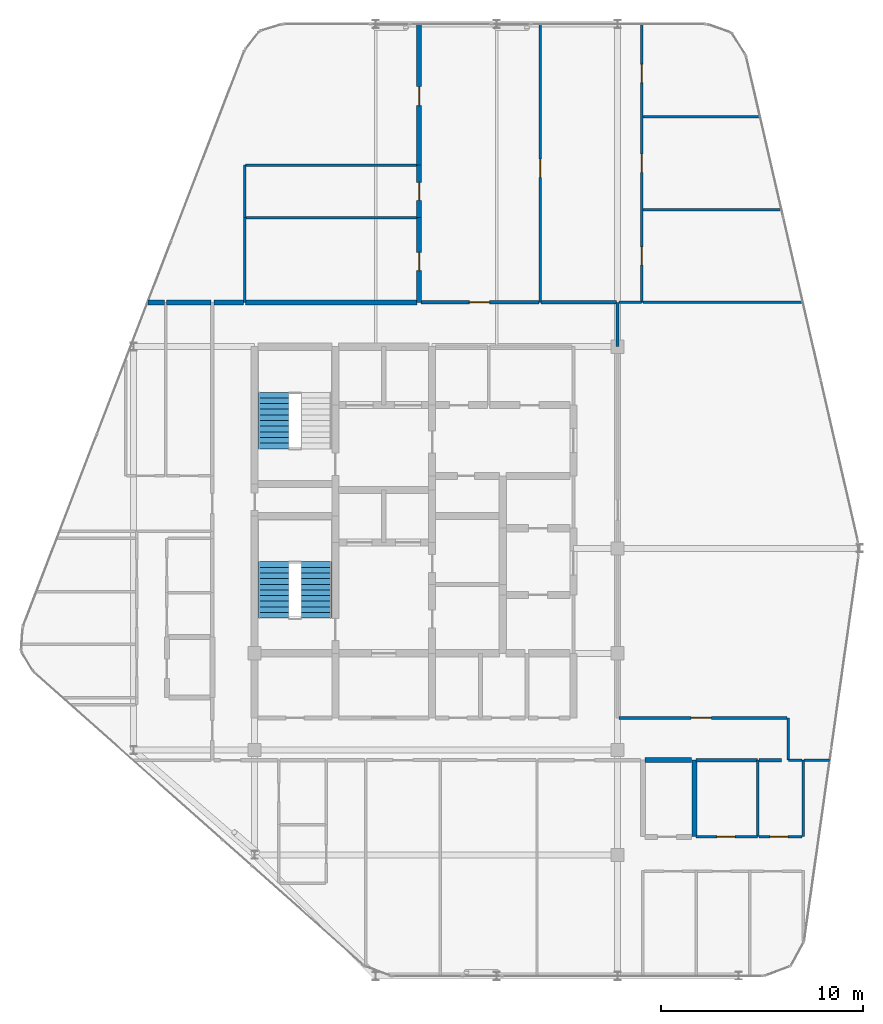
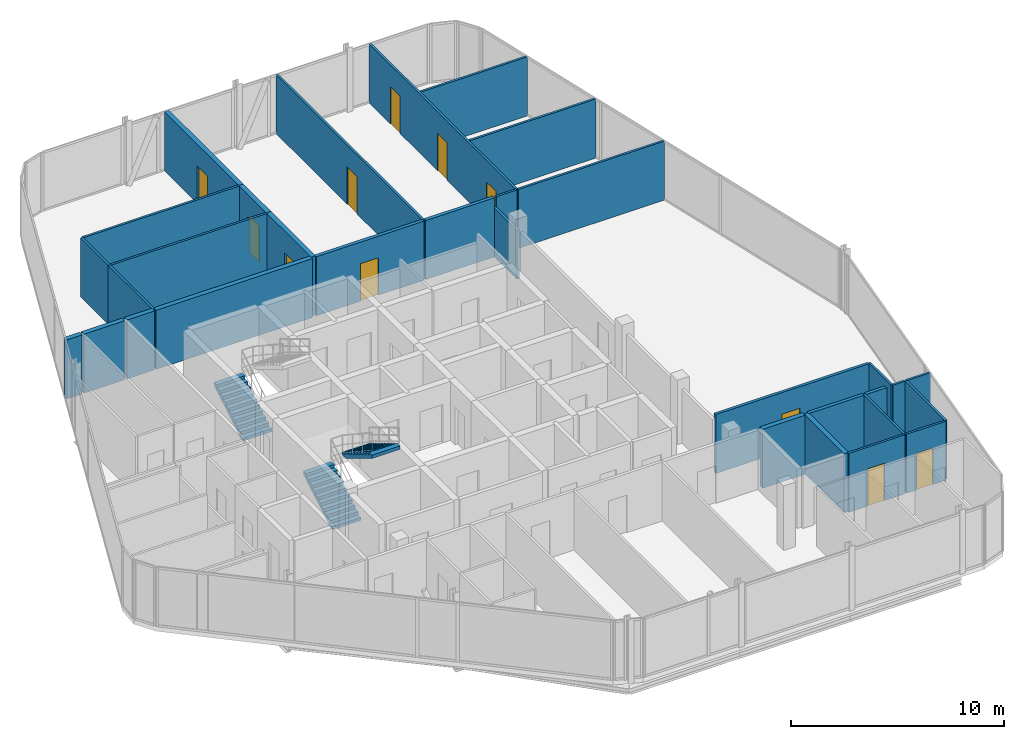
# One storey, part 25 of 27: 32 walls, 11 doors, 3 stair flights, 11 openings, 2 elements without a shape of their own.
"""IFC4 building model written with IfcOpenShell, lengths in metres."""

from ifc_helpers import new_model, si_unit, direction, frame, frame_2d, origin, place, context, subcontext, project, spatial, polyline, rectangle, outline, extrude, material, layer, layer_set, type_object, element, fill, aggregate, save


model = new_model("IFC4")

# Units and contexts
model_context = context("Model", 3, precision=1e-05, world=origin(), true_north=direction((0.0, 1.0)))
body_context = subcontext(model_context, "Body", "Model", "MODEL_VIEW")
ifc_project = project(units=[si_unit("LENGTHUNIT", "METRE"), si_unit("AREAUNIT", "SQUARE_METRE"), si_unit("VOLUMEUNIT", "CUBIC_METRE"), si_unit("PLANEANGLEUNIT", "RADIAN"), si_unit("MASSUNIT", "GRAM", prefix="KILO")], contexts=[model_context])

# Site, building, storey
site_placement = place(None, origin())
site = spatial("IfcSite", under=ifc_project, at=site_placement, CompositionType="ELEMENT")
building_placement = place(site_placement, origin())
building = spatial("IfcBuilding", under=site, at=building_placement, Name="Keshet Zoharim Tower", CompositionType="ELEMENT")
storey_placement = place(building_placement, frame((0.0, 0.0, 307.300048828125)))
storey = spatial("IfcBuildingStorey", under=building, at=storey_placement, Name="L77", CompositionType="ELEMENT", Elevation=307.300048828125)

# Wall, opening, door
ifc_material_1 = material(Name="Gypsum Plasterboard", Category="gypsum")
ifc_layer_1 = layer(ifc_material_1, 0.14990234375)
ifc_layer_set_1 = layer_set([ifc_layer_1], Name="Gypsum Plasterboard")
wall_type_1 = type_object("IfcWallType", Name="WL-CLIN-150", PredefinedType="STANDARD", material=ifc_layer_set_1)
wall_1_placement = place(storey_placement, frame((33.06005859375, 19.5, 0.0), z_axis=(0.0, 0.0, 1.0), x_axis=(1.0, 0.0, 0.0)))
wall_1 = element("IfcWall", 1, at=wall_1_placement, inside=storey, type_object=wall_type_1, Name="L77 Interior Wall 093", PredefinedType="STANDARD", context=body_context, shape_type="SweptSolid", body=[
    extrude(rectangle(XDim=8.322998046875, YDim=0.14990234375, at=frame_2d((4.16162109375, 0.0))), origin(), (0.0, 0.0, 1.0), 3.389892578125),
])
opening_1_placement = place(wall_1_placement, frame((3.5830078125, 0.0, 0.0)))
opening_1 = element("IfcOpeningElement", 2, at=opening_1_placement, cuts=wall_1, Name="Opening D-F310", PredefinedType="OPENING", context=body_context, shape_type="SweptSolid", body=[
    extrude(rectangle(XDim=1.0, YDim=2.14990234375, at=frame_2d((0.5, 1.074951171875))), frame((0.0, 0.0849609375, 0.0), z_axis=(0.0, -1.0, 0.0), x_axis=(1.0, 0.0, 0.0)), (0.0, 0.0, 1.0), 0.169921875),
])
ifc_material_2 = material(Name="Hardwood Timber", Category="wood")
door_type_1 = type_object("IfcDoorType", Name="DR-FD30-100", OperationType="NOTDEFINED", PredefinedType="DOOR", material=ifc_material_2)
door_1_placement = place(opening_1_placement, origin())
door_1 = element("IfcDoor", 3, at=door_1_placement, inside=storey, type_object=door_type_1, Name="L77 North West Residents Services Suite Door 2", OperationType="SINGLE_SWING_LEFT", OverallHeight=2.14990234375, OverallWidth=1.0, PredefinedType="DOOR", context=body_context, shape_type="SweptSolid", body=[
    extrude(rectangle(XDim=1.0, YDim=2.14990234375, at=frame_2d((0.5, 1.074951171875))), frame((0.0, 0.02490234375, 0.0), z_axis=(0.0, -1.0, 0.0), x_axis=(1.0, 0.0, 0.0)), (0.0, 0.0, 1.0), 0.050048828125),
])
fill(opening_1, door_1)

# Walls
wall_2_placement = place(storey_placement, frame((33.0, 37.89990234375, 0.0), z_axis=(0.0, 0.0, 1.0), x_axis=(0.0, 1.0, 0.0)))
element("IfcWall", 4, at=wall_2_placement, inside=storey, type_object=wall_type_1, Name="L77 Interior Wall 060 Part 3", PredefinedType="STANDARD", context=body_context, shape_type="SweptSolid", body=[
    extrude(rectangle(XDim=2.2001953125, YDim=0.14990234375, at=frame_2d((1.10009765625, 0.0))), origin(), (0.0, 0.0, 1.0), 2.7900390625),
])
ifc_layer_2 = layer(ifc_material_1, 0.179931640625)
ifc_layer_set_2 = layer_set([ifc_layer_2], Name="Gypsum Plasterboard")
wall_type_2 = type_object("IfcWallType", Name="WL-CORR-180", PredefinedType="STANDARD", material=ifc_layer_set_2)
wall_3_placement = place(storey_placement, frame((36.885009765625, 17.39990234375, 0.0), z_axis=(0.0, 0.0, 1.0), x_axis=(1.0, 0.0, 0.0)))
element("IfcWall", 5, at=wall_3_placement, inside=storey, type_object=wall_type_2, Name="L77 Interior Wall 085", PredefinedType="STANDARD", context=body_context, shape_type="SweptSolid", body=[
    extrude(rectangle(XDim=3.0380859375, YDim=0.179931640625, at=frame_2d((1.51904296875, 0.0))), origin(), (0.0, 0.0, 1.0), 3.389892578125),
])
wall_4_placement = place(storey_placement, frame((40.012939453125, 17.39990234375, 0.0), z_axis=(0.0, 0.0, 1.0), x_axis=(1.0, 0.0, 0.0)))
element("IfcWall", 6, at=wall_4_placement, inside=storey, type_object=wall_type_2, Name="L77 Interior Wall 086", PredefinedType="STANDARD", context=body_context, shape_type="SweptSolid", body=[
    extrude(rectangle(XDim=1.116943359375, YDim=0.179931640625, at=frame_2d((0.55859375, 0.0))), origin(), (0.0, 0.0, 1.0), 3.389892578125),
])

# Wall, opening, door
wall_5_placement = place(storey_placement, frame((23.260009765625, 40.10009765625, 0.0), z_axis=(0.0, 0.0, 1.0), x_axis=(1.0, 0.0, 0.0)))
wall_5 = element("IfcWall", 7, at=wall_5_placement, inside=storey, type_object=wall_type_2, Name="L77 Interior Wall 133", PredefinedType="STANDARD", context=body_context, shape_type="SweptSolid", body=[
    extrude(rectangle(XDim=5.844970703125, YDim=0.179931640625, at=frame_2d((2.92236328125, 0.0))), origin(), (0.0, 0.0, 1.0), 3.389892578125),
])
opening_2_placement = place(wall_5_placement, frame((2.389892578125, 0.0, 0.0)))
opening_2 = element("IfcOpeningElement", 8, at=opening_2_placement, cuts=wall_5, Name="Opening D-F310", PredefinedType="OPENING", context=body_context, shape_type="SweptSolid", body=[
    extrude(rectangle(XDim=1.0, YDim=2.14990234375, at=frame_2d((0.5, 1.074951171875))), frame((0.0, 0.10009765625, 0.0), z_axis=(0.0, -1.0, 0.0), x_axis=(1.0, 0.0, 0.0)), (0.0, 0.0, 1.0), 0.199951171875),
])
door_2_placement = place(opening_2_placement, origin())
door_2 = element("IfcDoor", 9, at=door_2_placement, inside=storey, type_object=door_type_1, Name="Apartment 7703 Entrance Door", OperationType="SINGLE_SWING_RIGHT", OverallHeight=2.14990234375, OverallWidth=1.0, PredefinedType="DOOR", context=body_context, shape_type="SweptSolid", body=[
    extrude(rectangle(XDim=1.0, YDim=2.14990234375, at=frame_2d((0.5, 1.074951171875))), frame((0.0, 0.02490234375, 0.0), z_axis=(0.0, -1.0, 0.0), x_axis=(1.0, 0.0, 0.0)), (0.0, 0.0, 1.0), 0.050048828125),
])
fill(opening_2, door_2)

# Wall
wall_6_placement = place(storey_placement, frame((29.195068359375, 40.10009765625, 0.0), z_axis=(0.0, 0.0, 1.0), x_axis=(1.0, 0.0, 0.0)))
element("IfcWall", 10, at=wall_6_placement, inside=storey, type_object=wall_type_2, Name="L77 Interior Wall 134", PredefinedType="STANDARD", context=body_context, shape_type="SweptSolid", body=[
    extrude(rectangle(XDim=3.744873046875, YDim=0.179931640625, at=frame_2d((1.87255859375, 0.0))), origin(), (0.0, 0.0, 1.0), 3.389892578125),
])

# Wall, opening, door
ifc_material_3 = material(Name="Concrete C50/60", Category="concrete")
ifc_layer_3 = layer(ifc_material_3, 0.25)
ifc_layer_set_3 = layer_set([ifc_layer_3], Name="Concrete C50/60")
wall_type_3 = type_object("IfcWallType", Name="WL-MAMAD-250", PredefinedType="STANDARD", material=ifc_layer_set_3)
wall_7_placement = place(storey_placement, frame((23.14990234375, 40.10009765625, 0.0), z_axis=(0.0, 0.0, 1.0), x_axis=(0.0, 1.0, 0.0)))
wall_7 = element("IfcWall", 11, at=wall_7_placement, inside=storey, type_object=wall_type_3, Name="L77 Interior Wall 034", PredefinedType="STANDARD", context=body_context, shape_type="SweptSolid", body=[
    extrude(rectangle(XDim=4.199951171875, YDim=0.25, at=frame_2d((2.10009765625, 0.0))), origin(), (0.0, 0.0, 1.0), 3.389892578125),
])
opening_3_placement = place(wall_7_placement, frame((1.576904296875, 0.0, 0.0)))
opening_3 = element("IfcOpeningElement", 12, at=opening_3_placement, cuts=wall_7, Name="Opening D-IN90", PredefinedType="OPENING", context=body_context, shape_type="SweptSolid", body=[
    extrude(rectangle(XDim=0.89990234375, YDim=2.14990234375, at=frame_2d((0.449951171875, 1.074951171875))), frame((0.0, 0.135009765625, 0.0), z_axis=(0.0, -1.0, 0.0), x_axis=(1.0, 0.0, 0.0)), (0.0, 0.0, 1.0), 0.27001953125),
])
door_type_2 = type_object("IfcDoorType", Name="DR-INT-090", OperationType="NOTDEFINED", PredefinedType="DOOR", material=ifc_material_2)
door_3_placement = place(opening_3_placement, origin())
door_3 = element("IfcDoor", 13, at=door_3_placement, inside=storey, type_object=door_type_2, Name="Apartment 7703 Kitchen Door", OperationType="SINGLE_SWING_LEFT", OverallHeight=2.14990234375, OverallWidth=0.89990234375, PredefinedType="DOOR", context=body_context, shape_type="SweptSolid", body=[
    extrude(rectangle(XDim=0.89990234375, YDim=2.14990234375, at=frame_2d((0.449951171875, 1.074951171875))), frame((0.0, 0.02490234375, 0.0), z_axis=(0.0, -1.0, 0.0), x_axis=(1.0, 0.0, 0.0)), (0.0, 0.0, 1.0), 0.050048828125),
])
fill(opening_3, door_3)

wall_8_placement = place(storey_placement, frame((23.14990234375, 44.300048828125, 0.0), z_axis=(0.0, 0.0, 1.0), x_axis=(0.0, 1.0, 0.0)))
wall_8 = element("IfcWall", 14, at=wall_8_placement, inside=storey, type_object=wall_type_3, Name="L77 Interior Wall 035", PredefinedType="STANDARD", context=body_context, shape_type="SweptSolid", body=[
    extrude(rectangle(XDim=2.599853515625, YDim=0.25, at=frame_2d((1.2998046875, 0.0))), origin(), (0.0, 0.0, 1.0), 3.389892578125),
])
opening_4_placement = place(wall_8_placement, frame((0.85009765625, 0.0, 0.0)))
opening_4 = element("IfcOpeningElement", 15, at=opening_4_placement, cuts=wall_8, Name="Opening D-WT90", PredefinedType="OPENING", context=body_context, shape_type="SweptSolid", body=[
    extrude(rectangle(XDim=0.89990234375, YDim=2.10009765625, at=frame_2d((0.449951171875, 1.050048828125))), frame((0.0, 0.135009765625, 0.0), z_axis=(0.0, -1.0, 0.0), x_axis=(1.0, 0.0, 0.0)), (0.0, 0.0, 1.0), 0.27001953125),
])
door_type_3 = type_object("IfcDoorType", Name="DR-WET-090", OperationType="NOTDEFINED", PredefinedType="DOOR", material=ifc_material_2)
door_4_placement = place(opening_4_placement, origin())
door_4 = element("IfcDoor", 16, at=door_4_placement, inside=storey, type_object=door_type_3, Name="Apartment 7703 Bathroom Door", OperationType="SINGLE_SWING_RIGHT", OverallHeight=2.10009765625, OverallWidth=0.89990234375, PredefinedType="DOOR", context=body_context, shape_type="SweptSolid", body=[
    extrude(rectangle(XDim=0.89990234375, YDim=2.10009765625, at=frame_2d((0.449951171875, 1.050048828125))), frame((0.0, 0.02490234375, 0.0), z_axis=(0.0, -1.0, 0.0), x_axis=(1.0, 0.0, 0.0)), (0.0, 0.0, 1.0), 0.050048828125),
])
fill(opening_4, door_4)

wall_9_placement = place(storey_placement, frame((23.14990234375, 46.89990234375, 0.0), z_axis=(0.0, 0.0, 1.0), x_axis=(0.0, 1.0, 0.0)))
wall_9 = element("IfcWall", 17, at=wall_9_placement, inside=storey, type_object=wall_type_3, Name="L77 Interior Wall 036", PredefinedType="STANDARD", context=body_context, shape_type="SweptSolid", body=[
    extrude(rectangle(XDim=6.989990234375, YDim=0.25, at=frame_2d((3.4951171875, 0.0))), origin(), (0.0, 0.0, 1.0), 3.389892578125),
])
opening_5_placement = place(wall_9_placement, frame((2.948974609375, 0.0, 0.0)))
opening_5 = element("IfcOpeningElement", 18, at=opening_5_placement, cuts=wall_9, Name="Opening D-F695", PredefinedType="OPENING", context=body_context, shape_type="SweptSolid", body=[
    extrude(rectangle(XDim=0.949951171875, YDim=2.14990234375, at=frame_2d((0.47509765625, 1.074951171875))), frame((0.0, 0.135009765625, 0.0), z_axis=(0.0, -1.0, 0.0), x_axis=(1.0, 0.0, 0.0)), (0.0, 0.0, 1.0), 0.27001953125),
])
door_type_4 = type_object("IfcDoorType", Name="DR-FD60-095", OperationType="NOTDEFINED", PredefinedType="DOOR", material=ifc_material_2)
door_5_placement = place(opening_5_placement, origin())
door_5 = element("IfcDoor", 19, at=door_5_placement, inside=storey, type_object=door_type_4, Name="Apartment 7703 Study and Shelter Room Door", OperationType="SINGLE_SWING_LEFT", OverallHeight=2.14990234375, OverallWidth=0.949951171875, PredefinedType="DOOR", context=body_context, shape_type="SweptSolid", body=[
    extrude(rectangle(XDim=0.949951171875, YDim=2.14990234375, at=frame_2d((0.47509765625, 1.074951171875))), frame((0.0, 0.02490234375, 0.0), z_axis=(0.0, -1.0, 0.0), x_axis=(1.0, 0.0, 0.0)), (0.0, 0.0, 1.0), 0.050048828125),
])
fill(opening_5, door_5)

# Walls
wall_10_placement = place(storey_placement, frame((36.800048828125, 13.6201171875, 0.0), z_axis=(0.0, 0.0, 1.0), x_axis=(0.0, 1.0, 0.0)))
element("IfcWall", 20, at=wall_10_placement, inside=storey, type_object=wall_type_3, Name="L77 Interior Wall 064", PredefinedType="STANDARD", context=body_context, shape_type="SweptSolid", body=[
    extrude(rectangle(XDim=3.77978515625, YDim=0.25, at=frame_2d((1.889892578125, 0.0))), origin(), (0.0, 0.0, 1.0), 3.389892578125),
])
wall_11_placement = place(storey_placement, frame((34.360107421875, 17.39990234375, 0.0), z_axis=(0.0, 0.0, 1.0), x_axis=(1.0, 0.0, 0.0)))
element("IfcWall", 21, at=wall_11_placement, inside=storey, type_object=wall_type_3, Name="L77 Interior Wall 084", PredefinedType="STANDARD", context=body_context, shape_type="SweptSolid", body=[
    extrude(rectangle(XDim=2.304931640625, YDim=0.25, at=frame_2d((1.15234375, 0.0))), origin(), (0.0, 0.0, 1.0), 3.389892578125),
])
wall_12_placement = place(storey_placement, frame((9.701904296875, 40.10009765625, 0.0), z_axis=(0.0, 0.0, 1.0), x_axis=(1.0, 0.0, 0.0)))
element("IfcWall", 22, at=wall_12_placement, inside=storey, type_object=wall_type_3, Name="L77 Interior Wall 129", PredefinedType="STANDARD", context=body_context, shape_type="SweptSolid", body=[
    extrude(rectangle(XDim=0.8310546875, YDim=0.25, at=frame_2d((0.41552734375, 0.0))), origin(), (0.0, 0.0, 1.0), 3.389892578125),
])
wall_13_placement = place(storey_placement, frame((10.623046875, 40.10009765625, 0.0), z_axis=(0.0, 0.0, 1.0), x_axis=(1.0, 0.0, 0.0)))
element("IfcWall", 23, at=wall_13_placement, inside=storey, type_object=wall_type_3, Name="L77 Interior Wall 130", PredefinedType="STANDARD", context=body_context, shape_type="SweptSolid", body=[
    extrude(rectangle(XDim=2.201904296875, YDim=0.25, at=frame_2d((1.10107421875, 0.0))), origin(), (0.0, 0.0, 1.0), 3.389892578125),
])
wall_14_placement = place(storey_placement, frame((12.97509765625, 40.10009765625, 0.0), z_axis=(0.0, 0.0, 1.0), x_axis=(1.0, 0.0, 0.0)))
element("IfcWall", 24, at=wall_14_placement, inside=storey, type_object=wall_type_3, Name="L77 Interior Wall 131", PredefinedType="STANDARD", context=body_context, shape_type="SweptSolid", body=[
    extrude(rectangle(XDim=1.47998046875, YDim=0.25, at=frame_2d((0.739990234375, 0.0))), origin(), (0.0, 0.0, 1.0), 3.389892578125),
])
wall_15_placement = place(storey_placement, frame((14.544921875, 40.10009765625, 0.0), z_axis=(0.0, 0.0, 1.0), x_axis=(1.0, 0.0, 0.0)))
element("IfcWall", 25, at=wall_15_placement, inside=storey, type_object=wall_type_3, Name="L77 Interior Wall 132", PredefinedType="STANDARD", context=body_context, shape_type="SweptSolid", body=[
    extrude(rectangle(XDim=8.4951171875, YDim=0.25, at=frame_2d((4.24755859375, 0.0))), origin(), (0.0, 0.0, 1.0), 3.389892578125),
])
ifc_layer_4 = layer(ifc_material_1, 0.1201171875)
ifc_layer_set_4 = layer_set([ifc_layer_4], Name="Gypsum Plasterboard")
wall_type_4 = type_object("IfcWallType", Name="WL-PART-120", PredefinedType="PARTITIONING", material=ifc_layer_set_4)
wall_16_placement = place(storey_placement, frame((14.5, 40.10009765625, 0.0), z_axis=(0.0, 0.0, 1.0), x_axis=(0.0, 1.0, 0.0)))
element("IfcWall", 26, at=wall_16_placement, inside=storey, type_object=wall_type_4, Name="L77 Interior Wall 016", PredefinedType="PARTITIONING", context=body_context, shape_type="SweptSolid", body=[
    extrude(rectangle(XDim=4.199951171875, YDim=0.1201171875, at=frame_2d((2.10009765625, 0.0))), origin(), (0.0, 0.0, 1.0), 3.389892578125),
])

# Wall, opening, door
wall_17_placement = place(storey_placement, frame((29.14990234375, 40.10009765625, 0.0), z_axis=(0.0, 0.0, 1.0), x_axis=(0.0, 1.0, 0.0)))
wall_17 = element("IfcWall", 27, at=wall_17_placement, inside=storey, type_object=wall_type_4, Name="L77 Interior Wall 053", PredefinedType="PARTITIONING", context=body_context, shape_type="SweptSolid", body=[
    extrude(rectangle(XDim=13.789794921875, YDim=0.1201171875, at=frame_2d((6.89501953125, 0.0))), origin(), (0.0, 0.0, 1.0), 3.389892578125),
])
opening_6_placement = place(wall_17_placement, frame((6.199951171875, 0.0, 0.0)))
opening_6 = element("IfcOpeningElement", 28, at=opening_6_placement, cuts=wall_17, Name="Opening D-IN90", PredefinedType="OPENING", context=body_context, shape_type="SweptSolid", body=[
    extrude(rectangle(XDim=0.89990234375, YDim=2.14990234375, at=frame_2d((0.449951171875, 1.074951171875))), frame((0.0, 0.070068359375, 0.0), z_axis=(0.0, -1.0, 0.0), x_axis=(1.0, 0.0, 0.0)), (0.0, 0.0, 1.0), 0.14013671875),
])
door_6_placement = place(opening_6_placement, origin())
door_6 = element("IfcDoor", 29, at=door_6_placement, inside=storey, type_object=door_type_2, Name="Apartment 7703 Formal Dining Room Door", OperationType="SINGLE_SWING_LEFT", OverallHeight=2.14990234375, OverallWidth=0.89990234375, PredefinedType="DOOR", context=body_context, shape_type="SweptSolid", body=[
    extrude(rectangle(XDim=0.89990234375, YDim=2.14990234375, at=frame_2d((0.449951171875, 1.074951171875))), frame((0.0, 0.02490234375, 0.0), z_axis=(0.0, -1.0, 0.0), x_axis=(1.0, 0.0, 0.0)), (0.0, 0.0, 1.0), 0.050048828125),
])
fill(opening_6, door_6)

# Wall, openings, doors
wall_18_placement = place(storey_placement, frame((34.199951171875, 40.10009765625, 0.0), z_axis=(0.0, 0.0, 1.0), x_axis=(0.0, 1.0, 0.0)))
wall_18 = element("IfcWall", 30, at=wall_18_placement, inside=storey, type_object=wall_type_4, Name="L77 Interior Wall 061", PredefinedType="PARTITIONING", context=body_context, shape_type="SweptSolid", body=[
    extrude(rectangle(XDim=13.789794921875, YDim=0.1201171875, at=frame_2d((6.89501953125, 0.0))), origin(), (0.0, 0.0, 1.0), 3.389892578125),
])
opening_7_placement = place(wall_18_placement, frame((1.85205078125, 0.0, 0.0)))
opening_7 = element("IfcOpeningElement", 31, at=opening_7_placement, cuts=wall_18, Name="Opening D-IN90", PredefinedType="OPENING", context=body_context, shape_type="SweptSolid", body=[
    extrude(rectangle(XDim=0.89990234375, YDim=2.14990234375, at=frame_2d((0.449951171875, 1.074951171875))), frame((0.0, 0.070068359375, 0.0), z_axis=(0.0, -1.0, 0.0), x_axis=(1.0, 0.0, 0.0)), (0.0, 0.0, 1.0), 0.14013671875),
])
opening_8_placement = place(wall_18_placement, frame((6.449951171875, 0.0, 0.0)))
opening_8 = element("IfcOpeningElement", 32, at=opening_8_placement, cuts=wall_18, Name="Opening D-IN90", PredefinedType="OPENING", context=body_context, shape_type="SweptSolid", body=[
    extrude(rectangle(XDim=0.89990234375, YDim=2.14990234375, at=frame_2d((0.449951171875, 1.074951171875))), frame((0.0, 0.070068359375, 0.0), z_axis=(0.0, -1.0, 0.0), x_axis=(1.0, 0.0, 0.0)), (0.0, 0.0, 1.0), 0.14013671875),
])
opening_9_placement = place(wall_18_placement, frame((10.89794921875, 0.0, 0.0)))
opening_9 = element("IfcOpeningElement", 33, at=opening_9_placement, cuts=wall_18, Name="Opening D-IN90", PredefinedType="OPENING", context=body_context, shape_type="SweptSolid", body=[
    extrude(rectangle(XDim=0.89990234375, YDim=2.14990234375, at=frame_2d((0.449951171875, 1.074951171875))), frame((0.0, 0.070068359375, 0.0), z_axis=(0.0, -1.0, 0.0), x_axis=(1.0, 0.0, 0.0)), (0.0, 0.0, 1.0), 0.14013671875),
])
door_7_placement = place(opening_7_placement, origin())
door_7 = element("IfcDoor", 34, at=door_7_placement, inside=storey, type_object=door_type_2, Name="Apartment 7703 Bedroom 1 Door", OperationType="SINGLE_SWING_LEFT", OverallHeight=2.14990234375, OverallWidth=0.89990234375, PredefinedType="DOOR", context=body_context, shape_type="SweptSolid", body=[
    extrude(rectangle(XDim=0.89990234375, YDim=2.14990234375, at=frame_2d((0.449951171875, 1.074951171875))), frame((0.0, 0.02490234375, 0.0), z_axis=(0.0, -1.0, 0.0), x_axis=(1.0, 0.0, 0.0)), (0.0, 0.0, 1.0), 0.050048828125),
])
fill(opening_7, door_7)
door_8_placement = place(opening_8_placement, origin())
door_8 = element("IfcDoor", 35, at=door_8_placement, inside=storey, type_object=door_type_2, Name="Apartment 7703 Bedroom 2 Door", OperationType="SINGLE_SWING_RIGHT", OverallHeight=2.14990234375, OverallWidth=0.89990234375, PredefinedType="DOOR", context=body_context, shape_type="SweptSolid", body=[
    extrude(rectangle(XDim=0.89990234375, YDim=2.14990234375, at=frame_2d((0.449951171875, 1.074951171875))), frame((0.0, 0.02490234375, 0.0), z_axis=(0.0, -1.0, 0.0), x_axis=(1.0, 0.0, 0.0)), (0.0, 0.0, 1.0), 0.050048828125),
])
fill(opening_8, door_8)
door_9_placement = place(opening_9_placement, origin())
door_9 = element("IfcDoor", 36, at=door_9_placement, inside=storey, type_object=door_type_2, Name="Apartment 7703 Bedroom 3 Door", OperationType="SINGLE_SWING_LEFT", OverallHeight=2.14990234375, OverallWidth=0.89990234375, PredefinedType="DOOR", context=body_context, shape_type="SweptSolid", body=[
    extrude(rectangle(XDim=0.89990234375, YDim=2.14990234375, at=frame_2d((0.449951171875, 1.074951171875))), frame((0.0, 0.02490234375, 0.0), z_axis=(0.0, -1.0, 0.0), x_axis=(1.0, 0.0, 0.0)), (0.0, 0.0, 1.0), 0.050048828125),
])
fill(opening_9, door_9)

# Wall
wall_19_placement = place(storey_placement, frame((41.449951171875, 17.39990234375, 0.0), z_axis=(0.0, 0.0, 1.0), x_axis=(0.0, 1.0, 0.0)))
element("IfcWall", 37, at=wall_19_placement, inside=storey, type_object=wall_type_4, Name="L77 Interior Wall 068", PredefinedType="PARTITIONING", context=body_context, shape_type="SweptSolid", body=[
    extrude(rectangle(XDim=2.09912109375, YDim=0.1201171875, at=frame_2d((1.049560546875, 0.0))), origin(), (0.0, 0.0, 1.0), 3.389892578125),
])

# Wall, opening, door
wall_20_placement = place(storey_placement, frame((36.885009765625, 13.60009765625, 0.0), z_axis=(0.0, 0.0, 1.0), x_axis=(1.0, 0.0, 0.0)))
wall_20 = element("IfcWall", 38, at=wall_20_placement, inside=storey, type_object=wall_type_4, Name="L77 Interior Wall 074", PredefinedType="PARTITIONING", context=body_context, shape_type="SweptSolid", body=[
    extrude(rectangle(XDim=3.0380859375, YDim=0.1201171875, at=frame_2d((1.51904296875, 0.0))), origin(), (0.0, 0.0, 1.0), 3.389892578125),
])
opening_10_placement = place(wall_20_placement, frame((1.037109375, 0.0, 0.0)))
opening_10 = element("IfcOpeningElement", 39, at=opening_10_placement, cuts=wall_20, Name="Opening D-IN90", PredefinedType="OPENING", context=body_context, shape_type="SweptSolid", body=[
    extrude(rectangle(XDim=0.89990234375, YDim=2.14990234375, at=frame_2d((0.449951171875, 1.074951171875))), frame((0.0, 0.070068359375, 0.0), z_axis=(0.0, -1.0, 0.0), x_axis=(1.0, 0.0, 0.0)), (0.0, 0.0, 1.0), 0.14013671875),
])
door_10_placement = place(opening_10_placement, origin())
door_10 = element("IfcDoor", 40, at=door_10_placement, inside=storey, type_object=door_type_2, Name="Apartment 7702 Kitchen Door", OperationType="SINGLE_SWING_RIGHT", OverallHeight=2.14990234375, OverallWidth=0.89990234375, PredefinedType="DOOR", context=body_context, shape_type="SweptSolid", body=[
    extrude(rectangle(XDim=0.89990234375, YDim=2.14990234375, at=frame_2d((0.449951171875, 1.074951171875))), frame((0.0, 0.02490234375, 0.0), z_axis=(0.0, -1.0, 0.0), x_axis=(1.0, 0.0, 0.0)), (0.0, 0.0, 1.0), 0.050048828125),
])
fill(opening_10, door_10)

# Walls
wall_21_placement = place(storey_placement, frame((42.236083984375, 17.39990234375, 0.0), z_axis=(0.0, 0.0, 1.0), x_axis=(1.0, 0.0, 0.0)))
element("IfcWall", 41, at=wall_21_placement, inside=storey, type_object=wall_type_4, Name="L77 Interior Wall 088", PredefinedType="PARTITIONING", context=body_context, shape_type="SweptSolid", body=[
    extrude(rectangle(XDim=1.267822265625, YDim=0.1201171875, at=frame_2d((0.6337890625, 0.0))), origin(), (0.0, 0.0, 1.0), 3.389892578125),
])
wall_22_placement = place(storey_placement, frame((33.06005859375, 40.10009765625, 0.0), z_axis=(0.0, 0.0, 1.0), x_axis=(1.0, 0.0, 0.0)))
element("IfcWall", 42, at=wall_22_placement, inside=storey, type_object=wall_type_4, Name="L77 Interior Wall 135", PredefinedType="PARTITIONING", context=body_context, shape_type="SweptSolid", body=[
    extrude(rectangle(XDim=1.114990234375, YDim=0.1201171875, at=frame_2d((0.5576171875, 0.0))), origin(), (0.0, 0.0, 1.0), 3.389892578125),
])
wall_23_placement = place(storey_placement, frame((34.264892578125, 40.10009765625, 0.0), z_axis=(0.0, 0.0, 1.0), x_axis=(1.0, 0.0, 0.0)))
element("IfcWall", 43, at=wall_23_placement, inside=storey, type_object=wall_type_4, Name="L77 Interior Wall 136", PredefinedType="PARTITIONING", context=body_context, shape_type="SweptSolid", body=[
    extrude(rectangle(XDim=7.91015625, YDim=0.1201171875, at=frame_2d((3.955078125, 0.0))), origin(), (0.0, 0.0, 1.0), 3.389892578125),
])
wall_24_placement = place(storey_placement, frame((34.264892578125, 44.699951171875, 0.0), z_axis=(0.0, 0.0, 1.0), x_axis=(1.0, 0.0, 0.0)))
element("IfcWall", 44, at=wall_24_placement, inside=storey, type_object=wall_type_4, Name="L77 Interior Wall 138", PredefinedType="PARTITIONING", context=body_context, shape_type="SweptSolid", body=[
    extrude(rectangle(XDim=6.84814453125, YDim=0.1201171875, at=frame_2d((3.424072265625, 0.0))), origin(), (0.0, 0.0, 1.0), 3.389892578125),
])
wall_25_placement = place(storey_placement, frame((34.264892578125, 49.300048828125, 0.0), z_axis=(0.0, 0.0, 1.0), x_axis=(1.0, 0.0, 0.0)))
element("IfcWall", 45, at=wall_25_placement, inside=storey, type_object=wall_type_4, Name="L77 Interior Wall 140", PredefinedType="PARTITIONING", context=body_context, shape_type="SweptSolid", body=[
    extrude(rectangle(XDim=5.787109375, YDim=0.1201171875, at=frame_2d((2.8935546875, 0.0))), origin(), (0.0, 0.0, 1.0), 3.389892578125),
])
ifc_layer_5 = layer(ifc_material_1, 0.1201171875)
ifc_layer_set_5 = layer_set([ifc_layer_5], Name="Gypsum Plasterboard")
wall_type_5 = type_object("IfcWallType", Name="WL-WET-120", PredefinedType="PARTITIONING", material=ifc_layer_set_5)
wall_26_placement = place(storey_placement, frame((14.5, 44.300048828125, 0.0), z_axis=(0.0, 0.0, 1.0), x_axis=(0.0, 1.0, 0.0)))
element("IfcWall", 46, at=wall_26_placement, inside=storey, type_object=wall_type_5, Name="L77 Interior Wall 017", PredefinedType="PARTITIONING", context=body_context, shape_type="SweptSolid", body=[
    extrude(rectangle(XDim=2.599853515625, YDim=0.1201171875, at=frame_2d((1.2998046875, 0.0))), origin(), (0.0, 0.0, 1.0), 3.389892578125),
])
for number, where, z_axis, x_axis, name in (
    (47, (39.949951171875, 13.6201171875, 0.0), (0.0, 0.0, 1.0), (0.0, 1.0, 0.0), "L77 Interior Wall 067"),
    (48, (42.199951171875, 13.6201171875, 0.0), (0.0, 0.0, 1.0), (0.0, 1.0, 0.0), "L77 Interior Wall 070"),
):
    element("IfcWall", number, at=place(storey_placement, frame(where, z_axis=z_axis, x_axis=x_axis)), inside=storey, type_object=wall_type_5, Name=name, PredefinedType="PARTITIONING", context=body_context, shape_type="SweptSolid", body=[
        extrude(rectangle(XDim=3.77978515625, YDim=0.1201171875, at=frame_2d((1.889892578125, 0.0))), origin(), (0.0, 0.0, 1.0), 3.389892578125),
    ])

# Wall, opening, door
wall_27_placement = place(storey_placement, frame((40.012939453125, 13.60009765625, 0.0), z_axis=(0.0, 0.0, 1.0), x_axis=(1.0, 0.0, 0.0)))
wall_27 = element("IfcWall", 49, at=wall_27_placement, inside=storey, type_object=wall_type_5, Name="L77 Interior Wall 075", PredefinedType="PARTITIONING", context=body_context, shape_type="SweptSolid", body=[
    extrude(rectangle(XDim=2.133056640625, YDim=0.1201171875, at=frame_2d((1.06640625, 0.0))), origin(), (0.0, 0.0, 1.0), 3.389892578125),
])
opening_11_placement = place(wall_27_placement, frame((0.5380859375, 0.0, 0.0)))
opening_11 = element("IfcOpeningElement", 50, at=opening_11_placement, cuts=wall_27, Name="Opening D-WT90", PredefinedType="OPENING", context=body_context, shape_type="SweptSolid", body=[
    extrude(rectangle(XDim=0.89990234375, YDim=2.10009765625, at=frame_2d((0.449951171875, 1.050048828125))), frame((0.0, 0.070068359375, 0.0), z_axis=(0.0, -1.0, 0.0), x_axis=(1.0, 0.0, 0.0)), (0.0, 0.0, 1.0), 0.14013671875),
])
door_11_placement = place(opening_11_placement, origin())
door_11 = element("IfcDoor", 51, at=door_11_placement, inside=storey, type_object=door_type_3, Name="Apartment 7702 Bathroom Door", OperationType="SINGLE_SWING_LEFT", OverallHeight=2.10009765625, OverallWidth=0.89990234375, PredefinedType="DOOR", context=body_context, shape_type="SweptSolid", body=[
    extrude(rectangle(XDim=0.89990234375, YDim=2.10009765625, at=frame_2d((0.449951171875, 1.050048828125))), frame((0.0, 0.02490234375, 0.0), z_axis=(0.0, -1.0, 0.0), x_axis=(1.0, 0.0, 0.0)), (0.0, 0.0, 1.0), 0.050048828125),
])
fill(opening_11, door_11)

# Walls
wall_28_placement = place(storey_placement, frame((41.472900390625, 17.39990234375, 0.0), z_axis=(0.0, 0.0, 1.0), x_axis=(1.0, 0.0, 0.0)))
element("IfcWall", 52, at=wall_28_placement, inside=storey, type_object=wall_type_5, Name="L77 Interior Wall 087", PredefinedType="PARTITIONING", context=body_context, shape_type="SweptSolid", body=[
    extrude(rectangle(XDim=0.673095703125, YDim=0.1201171875, at=frame_2d((0.33642578125, 0.0))), origin(), (0.0, 0.0, 1.0), 3.389892578125),
])
for number, where, z_axis, x_axis, name in (
    (53, (14.544921875, 44.300048828125, 0.0), (0.0, 0.0, 1.0), (1.0, 0.0, 0.0), "L77 Interior Wall 137"),
    (54, (14.544921875, 46.89990234375, 0.0), (0.0, 0.0, 1.0), (1.0, 0.0, 0.0), "L77 Interior Wall 139"),
):
    element("IfcWall", number, at=place(storey_placement, frame(where, z_axis=z_axis, x_axis=x_axis)), inside=storey, type_object=wall_type_5, Name=name, PredefinedType="PARTITIONING", context=body_context, shape_type="SweptSolid", body=[
        extrude(rectangle(XDim=8.4951171875, YDim=0.1201171875, at=frame_2d((4.24755859375, 0.0))), origin(), (0.0, 0.0, 1.0), 3.389892578125),
    ])

# Stair, stair flights
stair_type = type_object("IfcStairType", Name="STR-EXIT-135", PredefinedType="HALF_TURN_STAIR", material=ifc_material_3)
stair_1_placement = place(storey_placement, origin())
stair_1 = element("IfcStair", 55, at=stair_1_placement, inside=storey, type_object=stair_type, Name="L77 Enclosed Exit Stair ST-01", PredefinedType="HALF_TURN_STAIR")
stair_flight_type = type_object("IfcStairFlightType", Name="FLT-PRE-135", PredefinedType="STRAIGHT", material=ifc_material_3)
stair_flight_1_placement = place(storey_placement, frame((15.945068359375, 24.43994140625, 0.0), z_axis=(0.0, 0.0, 1.0), x_axis=(0.0, 1.0, 0.0)))
stair_flight_1 = element("IfcStairFlight", 56, at=stair_flight_1_placement, type_object=stair_flight_type, Name="ST-01 flight 1", NumberOfRisers=11, NumberOfTreads=10, PredefinedType="STRAIGHT", RiserHeight=0.168182, TreadLength=0.28, context=body_context, shape_type="SweptSolid", body=[
    extrude(outline(polyline([(0.0, 0.0), (0.0, 0.168212890625), (0.280029296875, 0.168212890625), (0.280029296875, 0.33642578125), (0.56005859375, 0.33642578125), (0.56005859375, 0.504638671875), (0.840087890625, 0.504638671875), (0.840087890625, 0.672607421875), (1.1201171875, 0.672607421875), (1.1201171875, 0.8408203125), (1.39990234375, 0.8408203125), (1.39990234375, 1.009033203125), (1.679931640625, 1.009033203125), (1.679931640625, 1.17724609375), (1.9599609375, 1.17724609375), (1.9599609375, 1.345458984375), (2.239990234375, 1.345458984375), (2.239990234375, 1.513671875), (2.52001953125, 1.513671875), (2.52001953125, 1.681884765625), (2.800048828125, 1.681884765625), (2.800048828125, 1.85009765625), (2.800048828125, 1.495361328125), (0.310546875, 0.0), (0.0, 0.0)])), frame((0.0, 0.76513671875, 0.0), z_axis=(0.0, -1.0, 0.0), x_axis=(1.0, 0.0, 0.0)), (0.0, 0.0, 1.0), 1.530029296875),
])
stair_flight_2_placement = place(storey_placement, frame((18.054931640625, 27.239990234375, 1.849853515625), z_axis=(0.0, 0.0, 1.0), x_axis=(0.0, -1.0, 0.0)))
stair_flight_2 = element("IfcStairFlight", 57, at=stair_flight_2_placement, type_object=stair_flight_type, Name="ST-01 flight 2", NumberOfRisers=11, NumberOfTreads=10, PredefinedType="STRAIGHT", RiserHeight=0.168182, TreadLength=0.28, context=body_context, shape_type="SweptSolid", body=[
    extrude(outline(polyline([(0.0, 0.0), (0.0, 0.168212890625), (0.280029296875, 0.168212890625), (0.280029296875, 0.33642578125), (0.56005859375, 0.33642578125), (0.56005859375, 0.504638671875), (0.840087890625, 0.504638671875), (0.840087890625, 0.672607421875), (1.1201171875, 0.672607421875), (1.1201171875, 0.8408203125), (1.39990234375, 0.8408203125), (1.39990234375, 1.009033203125), (1.679931640625, 1.009033203125), (1.679931640625, 1.17724609375), (1.9599609375, 1.17724609375), (1.9599609375, 1.345458984375), (2.239990234375, 1.345458984375), (2.239990234375, 1.513671875), (2.52001953125, 1.513671875), (2.52001953125, 1.681884765625), (2.800048828125, 1.681884765625), (2.800048828125, 1.85009765625), (2.800048828125, 1.495361328125), (0.310546875, 0.0), (0.0, 0.0)])), frame((0.0, 0.76513671875, 0.0), z_axis=(0.0, -1.0, 0.0), x_axis=(1.0, 0.0, 0.0)), (0.0, 0.0, 1.0), 1.530029296875),
])
aggregate(stair_1, [stair_flight_1, stair_flight_2])

# Stair, stair flight
stair_2_placement = place(storey_placement, origin())
stair_2 = element("IfcStair", 58, at=stair_2_placement, inside=storey, type_object=stair_type, Name="L77 Enclosed Exit Stair ST-02", PredefinedType="HALF_TURN_STAIR")
stair_flight_3_placement = place(storey_placement, frame((15.945068359375, 32.840087890625, 0.0), z_axis=(0.0, 0.0, 1.0), x_axis=(0.0, 1.0, 0.0)))
stair_flight_3 = element("IfcStairFlight", 59, at=stair_flight_3_placement, type_object=stair_flight_type, Name="ST-02 flight 1", NumberOfRisers=11, NumberOfTreads=10, PredefinedType="STRAIGHT", RiserHeight=0.168182, TreadLength=0.28, context=body_context, shape_type="SweptSolid", body=[
    extrude(outline(polyline([(0.0, 0.0), (0.0, 0.168212890625), (0.280029296875, 0.168212890625), (0.280029296875, 0.33642578125), (0.56005859375, 0.33642578125), (0.56005859375, 0.504638671875), (0.840087890625, 0.504638671875), (0.840087890625, 0.672607421875), (1.1201171875, 0.672607421875), (1.1201171875, 0.8408203125), (1.39990234375, 0.8408203125), (1.39990234375, 1.009033203125), (1.679931640625, 1.009033203125), (1.679931640625, 1.17724609375), (1.9599609375, 1.17724609375), (1.9599609375, 1.345458984375), (2.239990234375, 1.345458984375), (2.239990234375, 1.513671875), (2.52001953125, 1.513671875), (2.52001953125, 1.681884765625), (2.800048828125, 1.681884765625), (2.800048828125, 1.85009765625), (2.800048828125, 1.495361328125), (0.310546875, 0.0), (0.0, 0.0)])), frame((0.0, 0.76513671875, 0.0), z_axis=(0.0, -1.0, 0.0), x_axis=(1.0, 0.0, 0.0)), (0.0, 0.0, 1.0), 1.530029296875),
])
aggregate(stair_2, [stair_flight_3])

save(model, "model.ifc")
